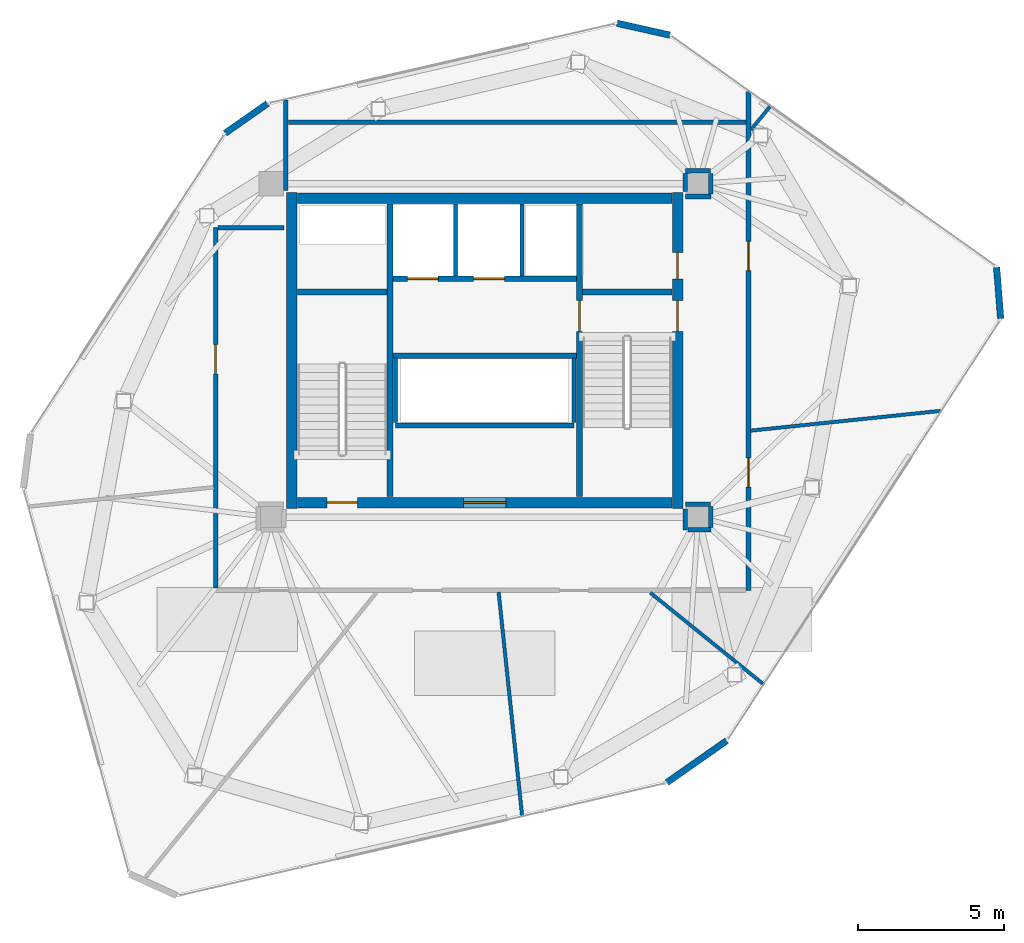
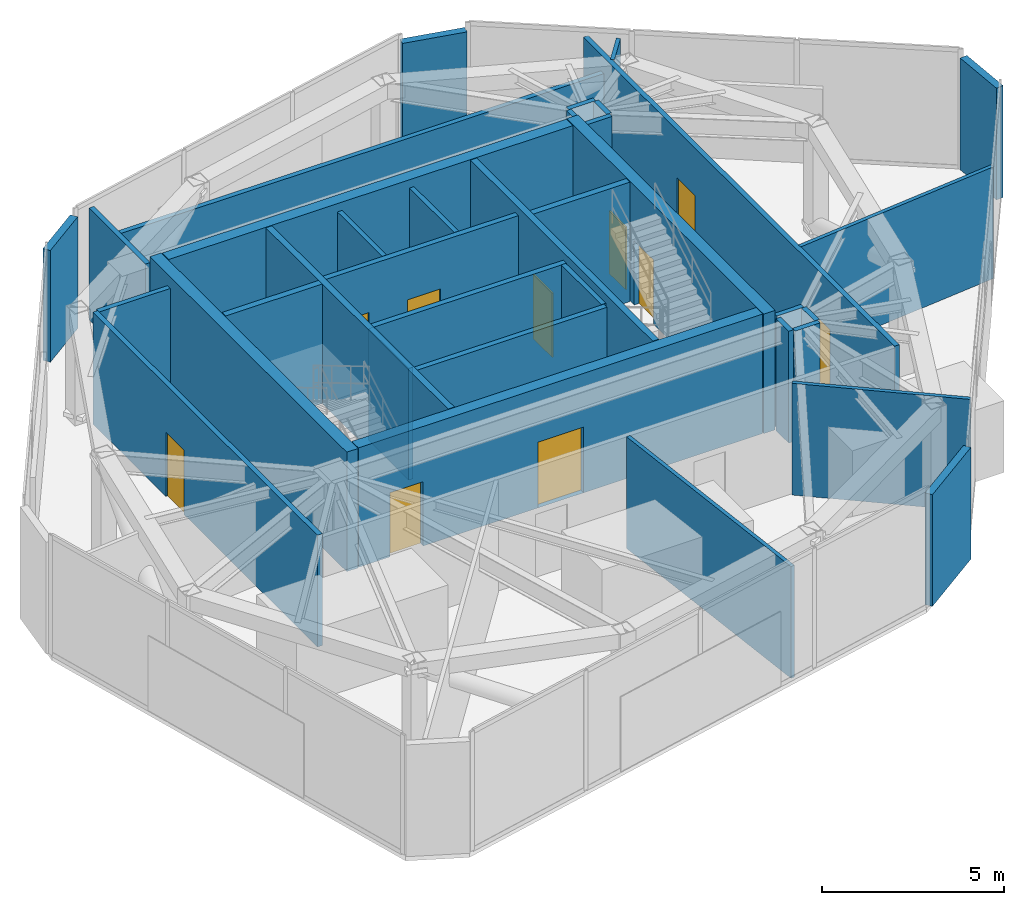
# One storey, part 18 of 21: 36 walls, 10 doors, 10 openings.
"""IFC4 building model written with IfcOpenShell, lengths in metres."""

import ifcopenshell
import ifcopenshell.guid

model = None  # the IFC model being written
_history = None  # IfcOwnerHistory: only IFC2X3 demands one
_inside = {}  # id of a spatial element -> (the spatial element, [elements in it])
_under = {}  # id of a project, library or spatial element -> (it, [spatial elements below it])
_declared = {}  # id of a project -> (the project, [libraries it declares])
_typed = {}  # id of a type object -> (the type object, [elements of that type])
_made_of = {}  # id of a material, layer set ... -> (it, [elements and type objects made of it])


def new_model(schema):
    """Start an empty IFC model of exactly this schema.

    Asked for "IFC4X3", IfcOpenShell would pick the latest addendum, in which some entities
    have other attributes; the version numbers below select the first issue.
    IFC2X3 requires an IfcOwnerHistory on every rooted entity: one is made here for all.
    """
    global model, _history
    if schema == "IFC4X3":
        model = ifcopenshell.file(schema_version=(4, 3, 0, 0))
    else:
        model = ifcopenshell.file(schema=schema)
    _inside.clear()
    _under.clear()
    _declared.clear()
    _typed.clear()
    _made_of.clear()
    _history = None
    if model.schema == "IFC2X3":
        org = make("IfcOrganization", Name="unknown")
        user = make(
            "IfcPersonAndOrganization",
            ThePerson=make("IfcPerson", FamilyName="unknown"),
            TheOrganization=org,
        )
        app = make(
            "IfcApplication",
            ApplicationDeveloper=org,
            Version="unknown",
            ApplicationFullName="unknown",
            ApplicationIdentifier="unknown",
        )
        _history = make(
            "IfcOwnerHistory",
            OwningUser=user,
            OwningApplication=app,
            ChangeAction="ADDED",
            CreationDate=0,
        )
    return model


def make(cls, **values):
    """One entity of the class cls with the attributes given. An attribute that is None is left unset."""
    return model.create_entity(
        cls, **{name: value for name, value in values.items() if value is not None}
    )


def rooted(cls, **values):
    """An entity with a GlobalId (a new one), such as an element, a storey or a relation."""
    return make(cls, GlobalId=ifcopenshell.guid.new(), OwnerHistory=_history, **values)


def si_unit(unit_type, name, prefix=None):
    """IfcSIUnit, for example si_unit("LENGTHUNIT", "METRE", prefix="MILLI")."""
    return make("IfcSIUnit", UnitType=unit_type, Prefix=prefix, Name=name)


def assignment(units):
    """IfcUnitAssignment: the units of a project."""
    return None if units is None else make("IfcUnitAssignment", Units=units)


def point(xyz):
    """IfcCartesianPoint."""
    return None if xyz is None else make("IfcCartesianPoint", Coordinates=xyz)


def direction(xyz):
    """IfcDirection."""
    return None if xyz is None else make("IfcDirection", DirectionRatios=xyz)


def frame(location, z_axis=None, x_axis=None):
    """IfcAxis2Placement3D, a coordinate frame: its origin and axes. An axis left out is left unset."""
    return make(
        "IfcAxis2Placement3D",
        Location=point(location),
        Axis=direction(z_axis),
        RefDirection=direction(x_axis),
    )


def frame_2d(location, x_axis=None):
    """IfcAxis2Placement2D, a coordinate frame in the plane: its origin and x axis."""
    return make(
        "IfcAxis2Placement2D", Location=point(location), RefDirection=direction(x_axis)
    )


def origin():
    """The frame at (0, 0, 0) with its axes left unset."""
    return frame((0.0, 0.0, 0.0))


def place(relative_to, where):
    """IfcLocalPlacement: puts the frame where relative to a parent placement (None: the world)."""
    return make(
        "IfcLocalPlacement", PlacementRelTo=relative_to, RelativePlacement=where
    )


def context(
    kind, dimensions, precision=None, world=None, true_north=None, identifier=None
):
    """IfcGeometricRepresentationContext, for example the 3D "Model" context."""
    return make(
        "IfcGeometricRepresentationContext",
        ContextIdentifier=identifier,
        ContextType=kind,
        CoordinateSpaceDimension=dimensions,
        Precision=precision,
        WorldCoordinateSystem=world,
        TrueNorth=true_north,
    )


def subcontext(parent, identifier, kind, view, scale=None):
    """IfcGeometricRepresentationSubContext, for example "Body" below "Model"."""
    return make(
        "IfcGeometricRepresentationSubContext",
        ContextIdentifier=identifier,
        ContextType=kind,
        ParentContext=parent,
        TargetScale=scale,
        TargetView=view,
    )


def project(units=None, contexts=None):
    """IfcProject with its units and contexts."""
    return rooted(
        "IfcProject",
        Name="project",
        RepresentationContexts=contexts,
        UnitsInContext=assignment(units),
    )


def spatial(cls, under=None, at=None, **own):
    """A site, building, storey or space (cls), placed at a placement, below another one or the project."""
    s = rooted(cls, ObjectPlacement=at, **own)
    if under is not None:
        _under.setdefault(under.id(), (under, []))[1].append(s)
    return s


def profile(cls, at=None, kind="AREA", **sizes):
    """A parametric profile (cls). Its sizes go by their IFC names, for example OverallWidth=200.0."""
    return make(cls, ProfileType=kind, Position=at, **sizes)


def rectangle(**sizes):
    """IfcRectangleProfileDef."""
    return profile("IfcRectangleProfileDef", **sizes)


def extrude(swept, where, along, depth):
    """IfcExtrudedAreaSolid: the profile swept, set in the frame where, extruded along a direction by depth."""
    return make(
        "IfcExtrudedAreaSolid",
        SweptArea=swept,
        Position=where,
        ExtrudedDirection=direction(along),
        Depth=depth,
    )


def shape(context_of_items, identifier, shape_type, items):
    """IfcShapeRepresentation: the items that make up one representation, for example the "Body"."""
    return make(
        "IfcShapeRepresentation",
        ContextOfItems=context_of_items,
        RepresentationIdentifier=identifier,
        RepresentationType=shape_type,
        Items=items,
    )


def source(mapping_origin, context_of_items, identifier, shape_type, items):
    """IfcRepresentationMap: a shape defined once, which mapped items show again and again."""
    return make(
        "IfcRepresentationMap",
        MappingOrigin=mapping_origin,
        MappedRepresentation=shape(context_of_items, identifier, shape_type, items),
    )


def transform(
    local_origin,
    x_axis=None,
    y_axis=None,
    z_axis=None,
    scale=None,
    scale2=None,
    scale3=None,
    uniform=True,
):
    """IfcCartesianTransformationOperator3D, or its non-uniform kind. x_axis, y_axis, z_axis: its Axis1, 2, 3."""
    if uniform:
        return make(
            "IfcCartesianTransformationOperator3D",
            Axis1=direction(x_axis),
            Axis2=direction(y_axis),
            LocalOrigin=point(local_origin),
            Scale=scale,
            Axis3=direction(z_axis),
        )
    return make(
        "IfcCartesianTransformationOperator3DnonUniform",
        Axis1=direction(x_axis),
        Axis2=direction(y_axis),
        LocalOrigin=point(local_origin),
        Scale=scale,
        Axis3=direction(z_axis),
        Scale2=scale2,
        Scale3=scale3,
    )


def mapped(mapping_source, mapping_target):
    """IfcMappedItem: shows the shape of a source again, moved by a transform."""
    return make(
        "IfcMappedItem", MappingSource=mapping_source, MappingTarget=mapping_target
    )


def material(Name=None, Category=None):
    """IfcMaterial."""
    return make("IfcMaterial", Name=Name, Category=Category)


def layer(
    of_material, thickness, ventilated=None, Name=None, Category=None, Priority=None
):
    """IfcMaterialLayer: one layer of a wall or slab, of a material (None: an air gap)."""
    return make(
        "IfcMaterialLayer",
        Material=of_material,
        LayerThickness=thickness,
        IsVentilated=ventilated,
        Name=Name,
        Category=Category,
        Priority=Priority,
    )


def layer_set(layers, Name=None):
    """IfcMaterialLayerSet."""
    return make("IfcMaterialLayerSet", MaterialLayers=layers, LayerSetName=Name)


def made_of(thing, what):
    """Note that an element or type object is made of a material, layer set ...; save() writes the relation."""
    if what is not None:
        _made_of.setdefault(what.id(), (what, []))[1].append(thing)
    return thing


def type_object(cls, material=None, **own):
    """A type object (cls), such as IfcWallType, which elements share."""
    return made_of(rooted(cls, **own), material)


def type_shapes(of_type, sources):
    """Give a type object the sources (RepresentationMaps) that its elements show as mapped items."""
    of_type.RepresentationMaps = sources


def element(
    cls,
    number,
    at=None,
    inside=None,
    cuts=None,
    type_object=None,
    material=None,
    context=None,
    identifier="Body",
    shape_type=None,
    held_by="IfcProductDefinitionShape",
    body=None,
    shapes=None,
    **own,
):
    """One element of the class cls, such as IfcWall. Its Tag is "e" and its number.

    at: its placement. inside: the storey or other place that contains it. cuts: it is an
    opening in that element (IfcRelVoidsElement). A single representation is given by context,
    identifier, shape_type and body (its items); several are given by shapes. held_by: the class
    of the entity that holds the representations. save() writes the other relations.
    """
    e = rooted(cls, Tag="e%d" % number, ObjectPlacement=at, **own)
    if body is not None:
        shapes = [shape(context, identifier, shape_type, body)]
    if shapes is not None:
        e.Representation = make(held_by, Representations=shapes)
    if inside is not None:
        _inside.setdefault(inside.id(), (inside, []))[1].append(e)
    if cuts is not None:
        rooted(
            "IfcRelVoidsElement", RelatingBuildingElement=cuts, RelatedOpeningElement=e
        )
    if type_object is not None:
        _typed.setdefault(type_object.id(), (type_object, []))[1].append(e)
    return made_of(e, material)


def fill(opening, filler):
    """IfcRelFillsElement: the door or window that sits in an opening."""
    return rooted(
        "IfcRelFillsElement",
        RelatingOpeningElement=opening,
        RelatedBuildingElement=filler,
    )


def aggregate(whole, parts):
    """IfcRelAggregates: a whole, such as a stair, and the parts it consists of."""
    return rooted("IfcRelAggregates", RelatingObject=whole, RelatedObjects=parts)


def save(model, path):
    """Write the relations noted so far, then the file.

    IfcRelAggregates (storeys below a building ...), IfcRelContainedInSpatialStructure (elements
    in a storey), IfcRelDefinesByType, IfcRelAssociatesMaterial and IfcRelDeclares: one each for
    every whole, place, type object, material and project.
    """
    for whole, parts in _under.values():
        aggregate(whole, parts)
    for where, things in _inside.values():
        rooted(
            "IfcRelContainedInSpatialStructure",
            RelatedElements=things,
            RelatingStructure=where,
        )
    for kind, things in _typed.values():
        rooted("IfcRelDefinesByType", RelatedObjects=things, RelatingType=kind)
    for what, things in _made_of.values():
        rooted("IfcRelAssociatesMaterial", RelatedObjects=things, RelatingMaterial=what)
    for by, libraries in _declared.values():
        rooted("IfcRelDeclares", RelatingContext=by, RelatedDefinitions=libraries)
    model.write(path)


model = new_model("IFC4")

# Units and contexts
model_context = context("Model", 3, precision=1e-05, world=origin(), true_north=direction((0.0, 1.0)))
body_context = subcontext(model_context, "Body", "Model", "MODEL_VIEW")
ifc_project = project(units=[si_unit("LENGTHUNIT", "METRE"), si_unit("AREAUNIT", "SQUARE_METRE"), si_unit("VOLUMEUNIT", "CUBIC_METRE"), si_unit("PLANEANGLEUNIT", "RADIAN"), si_unit("MASSUNIT", "GRAM", prefix="KILO")], contexts=[model_context])

# Site, building, storey
site_placement = place(None, origin())
site = spatial("IfcSite", under=ifc_project, at=site_placement, CompositionType="ELEMENT")
building_placement = place(site_placement, origin())
building = spatial("IfcBuilding", under=site, at=building_placement, Name="Talar Marvaseh", CompositionType="ELEMENT")
storey_placement = place(building_placement, frame((0.0, 0.0, 304.0)))
storey = spatial("IfcBuildingStorey", under=building, at=storey_placement, Name="L81", CompositionType="ELEMENT", Elevation=304.0)

# Walls
ifc_material_1 = material(Name="Precast concrete C45/55", Category="concrete")
ifc_layer_1 = layer(ifc_material_1, 0.22509765625)
ifc_layer_set_1 = layer_set([ifc_layer_1], Name="Precast concrete C45/55")
wall_type_1 = type_object("IfcWallType", Name="Chamfered Hexagonal Corner Pier Wall Z4 225", PredefinedType="SOLIDWALL", material=ifc_layer_set_1)
wall_1_placement = place(storey_placement, frame((17.1220703125, 38.626708984375, 0.0), z_axis=(0.0, 0.0, 1.0), x_axis=(0.819090185356, 0.573664769925, 0.0)))
element("IfcWall", 1, at=wall_1_placement, inside=storey, type_object=wall_type_1, Name="L81 Chamfered Corner Limestone Pier 3", PredefinedType="SOLIDWALL", context=body_context, shape_type="SweptSolid", body=[
    extrude(rectangle(XDim=1.780517578125, YDim=0.22509765625, at=frame_2d((0.89013671875, 0.0))), origin(), (0.0, 0.0, 1.0), 3.739990234375),
])
wall_2_placement = place(storey_placement, frame((30.5244140625, 42.38916015625, 0.0), z_axis=(0.0, 0.0, 1.0), x_axis=(0.975826819247, -0.218545232932, 0.0)))
element("IfcWall", 2, at=wall_2_placement, inside=storey, type_object=wall_type_1, Name="L81 Chamfered Corner Limestone Pier 4", PredefinedType="SOLIDWALL", context=body_context, shape_type="SweptSolid", body=[
    extrude(rectangle(XDim=1.856689453125, YDim=0.22509765625, at=frame_2d((0.92822265625, 0.0))), origin(), (0.0, 0.0, 1.0), 3.739990234375),
])
wall_3_placement = place(storey_placement, frame((43.504150390625, 34.041748046875, 0.0), z_axis=(0.0, 0.0, 1.0), x_axis=(0.079712105085, -0.996817927358, 0.0)))
element("IfcWall", 3, at=wall_3_placement, inside=storey, type_object=wall_type_1, Name="L81 Chamfered Corner Limestone Pier 5", PredefinedType="SOLIDWALL", context=body_context, shape_type="SweptSolid", body=[
    extrude(rectangle(XDim=1.758056640625, YDim=0.22509765625, at=frame_2d((0.87890625, 0.0))), origin(), (0.0, 0.0, 1.0), 3.739990234375),
])
wall_4_placement = place(storey_placement, frame((34.27880859375, 17.85791015625, 0.0), z_axis=(0.0, 0.0, 1.0), x_axis=(-0.819149408047, -0.573580201276, 0.0)))
element("IfcWall", 4, at=wall_4_placement, inside=storey, type_object=wall_type_1, Name="L81 Chamfered Corner Limestone Pier 6", PredefinedType="SOLIDWALL", context=body_context, shape_type="SweptSolid", body=[
    extrude(rectangle(XDim=2.50244140625, YDim=0.22509765625, at=frame_2d((1.251220703125, 0.0))), origin(), (0.0, 0.0, 1.0), 3.739990234375),
])

# Wall, openings, doors
ifc_material_2 = material(Name="Gypsum Board Partition Assembly")
ifc_layer_2 = layer(ifc_material_2, 0.155029296875)
ifc_layer_set_2 = layer_set([ifc_layer_2], Name="Gypsum Board Partition Assembly")
wall_type_2 = type_object("IfcWallType", Name="Corridor Fire-Rated Acoustic Partition 155", PredefinedType="PARTITIONING", material=ifc_layer_set_2)
wall_5_placement = place(storey_placement, frame((35.02001953125, 40.060546875, 0.0), z_axis=(0.0, 0.0, 1.0), x_axis=(0.0, -1.0, 0.0)))
wall_5 = element("IfcWall", 5, at=wall_5_placement, inside=storey, type_object=wall_type_2, Name="L81 Interior Partition Wall", PredefinedType="PARTITIONING", context=body_context, shape_type="SweptSolid", body=[
    extrude(rectangle(XDim=17.060546875, YDim=0.155029296875, at=frame_2d((8.5302734375, 0.0))), origin(), (0.0, 0.0, 1.0), 3.739990234375),
])
opening_1_placement = place(wall_5_placement, frame((12.53662109375, 0.0, 0.0)))
opening_1 = element("IfcOpeningElement", 6, at=opening_1_placement, cuts=wall_5, Name="Opening DR-RM100", PredefinedType="OPENING", context=body_context, shape_type="SweptSolid", body=[
    extrude(rectangle(XDim=1.0, YDim=2.14990234375, at=frame_2d((0.5, 1.074951171875))), frame((0.0, 0.08740234375, 0.0), z_axis=(0.0, -1.0, 0.0), x_axis=(1.0, 0.0, 0.0)), (0.0, 0.0, 1.0), 0.175048828125),
])
opening_2_placement = place(wall_5_placement, frame((5.131591796875, 0.0, 0.0)))
opening_2 = element("IfcOpeningElement", 7, at=opening_2_placement, cuts=wall_5, Name="Opening DR-RM100", PredefinedType="OPENING", context=body_context, shape_type="SweptSolid", body=[
    extrude(rectangle(XDim=1.0, YDim=2.14990234375, at=frame_2d((0.5, 1.074951171875))), frame((0.0, 0.08740234375, 0.0), z_axis=(0.0, -1.0, 0.0), x_axis=(1.0, 0.0, 0.0)), (0.0, 0.0, 1.0), 0.175048828125),
])
ifc_material_3 = material(Name="Acoustic Engineered Oak Timber", Category="wood")
door_type_1 = type_object("IfcDoorType", Name="Corridor Fire-Rated Gallery Door 1000x2150", OperationType="NOTDEFINED", PredefinedType="DOOR", material=ifc_material_3)
shared_shape_1 = source(origin(), body_context, "Body", "SweptSolid", [
    extrude(rectangle(XDim=1.0, YDim=2.14990234375, at=frame_2d((0.5, 1.074951171875))), frame((0.0, 0.02490234375, 0.0), z_axis=(0.0, -1.0, 0.0), x_axis=(1.0, 0.0, 0.0)), (0.0, 0.0, 1.0), 0.050048828125),
])
type_shapes(door_type_1, [shared_shape_1])
door_1_placement = place(opening_1_placement, origin())
door_1 = element("IfcDoor", 8, at=door_1_placement, inside=storey, type_object=door_type_1, Name="L81 HV Transformer Switchroom Door", OperationType="SINGLE_SWING_LEFT", OverallHeight=2.14990234375, OverallWidth=1.0, PredefinedType="DOOR", context=body_context, shape_type="MappedRepresentation", body=[
    mapped(shared_shape_1, transform((0.0, 0.0, 0.0), x_axis=(1.0, 0.0, 0.0), y_axis=(0.0, 1.0, 0.0), z_axis=(0.0, 0.0, 1.0), scale=1.0)),
])
fill(opening_1, door_1)
door_2_placement = place(opening_2_placement, origin())
door_2 = element("IfcDoor", 9, at=door_2_placement, inside=storey, type_object=door_type_1, Name="L81 Heat Recovery Mechanical Plant Room Door", OperationType="SINGLE_SWING_RIGHT", OverallHeight=2.14990234375, OverallWidth=1.0, PredefinedType="DOOR", context=body_context, shape_type="MappedRepresentation", body=[
    mapped(shared_shape_1, transform((0.0, 0.0, 0.0), x_axis=(1.0, 0.0, 0.0), y_axis=(0.0, 1.0, 0.0), z_axis=(0.0, 0.0, 1.0), scale=1.0)),
])
fill(opening_2, door_2)

# Wall, opening, door
wall_6_placement = place(storey_placement, frame((16.800048828125, 23.08349609375, 0.0), z_axis=(0.0, 0.0, 1.0), x_axis=(0.0, 1.0, 0.0)))
wall_6 = element("IfcWall", 10, at=wall_6_placement, inside=storey, type_object=wall_type_2, Name="L81 Interior Partition Wall", PredefinedType="PARTITIONING", context=body_context, shape_type="SweptSolid", body=[
    extrude(rectangle(XDim=12.31640625, YDim=0.155029296875, at=frame_2d((6.158203125, 0.0))), origin(), (0.0, 0.0, 1.0), 3.739990234375),
])
opening_3_placement = place(wall_6_placement, frame((7.3125, 0.0, 0.0)))
opening_3 = element("IfcOpeningElement", 11, at=opening_3_placement, cuts=wall_6, Name="Opening DR-RM100", PredefinedType="OPENING", context=body_context, shape_type="SweptSolid", body=[
    extrude(rectangle(XDim=1.0, YDim=2.14990234375, at=frame_2d((0.5, 1.074951171875))), frame((0.0, 0.08740234375, 0.0), z_axis=(0.0, -1.0, 0.0), x_axis=(1.0, 0.0, 0.0)), (0.0, 0.0, 1.0), 0.175048828125),
])
door_3_placement = place(opening_3_placement, origin())
door_3 = element("IfcDoor", 12, at=door_3_placement, inside=storey, type_object=door_type_1, Name="L81 BMS Telecoms Control Plant Room Door", OperationType="SINGLE_SWING_LEFT", OverallHeight=2.14990234375, OverallWidth=1.0, PredefinedType="DOOR", context=body_context, shape_type="MappedRepresentation", body=[
    mapped(shared_shape_1, transform((0.0, 0.0, 0.0), x_axis=(1.0, 0.0, 0.0), y_axis=(0.0, 1.0, 0.0), z_axis=(0.0, 0.0, 1.0), scale=1.0)),
])
fill(opening_3, door_3)

# Walls
wall_7_placement = place(storey_placement, frame((16.883544921875, 35.39990234375, 0.0), z_axis=(0.0, 0.0, 1.0), x_axis=(1.0, 0.0, 0.0)))
element("IfcWall", 13, at=wall_7_placement, inside=storey, type_object=wall_type_2, Name="L81 Interior Partition Wall", PredefinedType="PARTITIONING", context=body_context, shape_type="SweptSolid", body=[
    extrude(rectangle(XDim=2.246337890625, YDim=0.155029296875, at=frame_2d((1.123046875, 0.0))), origin(), (0.0, 0.0, 1.0), 3.739990234375),
])
wall_8_placement = place(storey_placement, frame((19.199951171875, 36.669921875, 0.0), z_axis=(0.0, 0.0, 1.0), x_axis=(0.0, 1.0, 0.0)))
element("IfcWall", 14, at=wall_8_placement, inside=storey, type_object=wall_type_2, Name="L81 Interior Partition Wall", PredefinedType="PARTITIONING", context=body_context, shape_type="SweptSolid", body=[
    extrude(rectangle(XDim=3.10009765625, YDim=0.155029296875, at=frame_2d((1.550048828125, 0.0))), origin(), (0.0, 0.0, 1.0), 3.739990234375),
])
wall_9_placement = place(storey_placement, frame((19.283447265625, 39.0, 0.0), z_axis=(0.0, 0.0, 1.0), x_axis=(1.0, 0.0, 0.0)))
element("IfcWall", 15, at=wall_9_placement, inside=storey, type_object=wall_type_2, Name="L81 Interior Partition Wall", PredefinedType="PARTITIONING", context=body_context, shape_type="SweptSolid", body=[
    extrude(rectangle(XDim=15.653076171875, YDim=0.155029296875, at=frame_2d((7.82666015625, 0.0))), origin(), (0.0, 0.0, 1.0), 3.215087890625),
])
wall_10_placement = place(storey_placement, frame((33.72509765625, 25.93994140625, 0.0), z_axis=(0.0, 0.0, 1.0), x_axis=(-0.999986790873, -0.005139852152, 0.0)))
element("IfcWall", 16, at=wall_10_placement, inside=storey, type_object=wall_type_2, Name="L81 Interior Partition Wall", PredefinedType="PARTITIONING", context=body_context, shape_type="SweptSolid", body=[
    extrude(rectangle(XDim=0.85498046875, YDim=0.155029296875, at=frame_2d((0.427490234375, 0.0))), origin(), (0.0, 0.0, 1.0), 3.739990234375),
])
wall_11_placement = place(storey_placement, frame((32.864501953125, 25.772705078125, 0.0), z_axis=(0.0, 0.0, 1.0), x_axis=(0.0, -1.0, 0.0)))
element("IfcWall", 17, at=wall_11_placement, inside=storey, type_object=wall_type_2, Name="L81 Interior Partition Wall", PredefinedType="PARTITIONING", context=body_context, shape_type="SweptSolid", body=[
    extrude(rectangle(XDim=0.708251953125, YDim=0.155029296875, at=frame_2d((0.35400390625, 0.0))), origin(), (0.0, 0.0, 1.0), 3.739990234375),
])
wall_12_placement = place(storey_placement, frame((32.947998046875, 25.064453125, 0.0), z_axis=(0.0, 0.0, 1.0), x_axis=(1.0, 0.0, 0.0)))
element("IfcWall", 18, at=wall_12_placement, inside=storey, type_object=wall_type_2, Name="L81 Interior Partition Wall", PredefinedType="PARTITIONING", context=body_context, shape_type="SweptSolid", body=[
    extrude(rectangle(XDim=0.78759765625, YDim=0.155029296875, at=frame_2d((0.393798828125, 0.0))), origin(), (0.0, 0.0, 1.0), 3.739990234375),
])
wall_13_placement = place(storey_placement, frame((33.734619140625, 25.14794921875, 0.0), z_axis=(0.0, 0.0, 1.0), x_axis=(-0.012059770759, 0.99992727832, 0.0)))
element("IfcWall", 19, at=wall_13_placement, inside=storey, type_object=wall_type_2, Name="L81 Interior Partition Wall", PredefinedType="PARTITIONING", context=body_context, shape_type="SweptSolid", body=[
    extrude(rectangle(XDim=0.70849609375, YDim=0.155029296875, at=frame_2d((0.354248046875, 0.0))), origin(), (0.0, 0.0, 1.0), 3.739990234375),
])
wall_14_placement = place(storey_placement, frame((33.72509765625, 37.340087890625, 0.0), z_axis=(0.0, 0.0, 1.0), x_axis=(-0.999986962681, -0.005106316405, 0.0)))
element("IfcWall", 20, at=wall_14_placement, inside=storey, type_object=wall_type_2, Name="L81 Interior Partition Wall", PredefinedType="PARTITIONING", context=body_context, shape_type="SweptSolid", body=[
    extrude(rectangle(XDim=0.860595703125, YDim=0.155029296875, at=frame_2d((0.43017578125, 0.0))), origin(), (0.0, 0.0, 1.0), 3.739990234375),
])
wall_15_placement = place(storey_placement, frame((32.864501953125, 37.252197265625, 0.0), z_axis=(0.0, 0.0, 1.0), x_axis=(0.0, -1.0, 0.0)))
element("IfcWall", 21, at=wall_15_placement, inside=storey, type_object=wall_type_2, Name="L81 Interior Partition Wall", PredefinedType="PARTITIONING", context=body_context, shape_type="SweptSolid", body=[
    extrude(rectangle(XDim=0.624755859375, YDim=0.155029296875, at=frame_2d((0.3125, 0.0))), origin(), (0.0, 0.0, 1.0), 3.739990234375),
])
wall_16_placement = place(storey_placement, frame((32.8701171875, 36.46435546875, 0.0), z_axis=(0.0, 0.0, 1.0), x_axis=(1.0, 0.0, 0.0)))
element("IfcWall", 22, at=wall_16_placement, inside=storey, type_object=wall_type_2, Name="L81 Interior Partition Wall", PredefinedType="PARTITIONING", context=body_context, shape_type="SweptSolid", body=[
    extrude(rectangle(XDim=0.865478515625, YDim=0.155029296875, at=frame_2d((0.4326171875, 0.0))), origin(), (0.0, 0.0, 1.0), 3.739990234375),
])
wall_17_placement = place(storey_placement, frame((33.734619140625, 36.5478515625, 0.0), z_axis=(0.0, 0.0, 1.0), x_axis=(-0.012055617118, 0.999927328407, 0.0)))
element("IfcWall", 23, at=wall_17_placement, inside=storey, type_object=wall_type_2, Name="L81 Interior Partition Wall", PredefinedType="PARTITIONING", context=body_context, shape_type="SweptSolid", body=[
    extrude(rectangle(XDim=0.708740234375, YDim=0.155029296875, at=frame_2d((0.3544921875, 0.0))), origin(), (0.0, 0.0, 1.0), 3.739990234375),
])
ifc_layer_3 = layer(ifc_material_2, 0.1201171875)
ifc_layer_set_3 = layer_set([ifc_layer_3], Name="Gypsum Board Partition Assembly")
wall_type_3 = type_object("IfcWallType", Name="Demountable Studio Room Partition 120", PredefinedType="PARTITIONING", material=ifc_layer_set_3)
wall_18_placement = place(storey_placement, frame((26.476806640625, 22.935302734375, 0.0), z_axis=(0.0, 0.0, 1.0), x_axis=(0.104461314249, -0.994528950723, 0.0)))
element("IfcWall", 24, at=wall_18_placement, inside=storey, type_object=wall_type_3, Name="L81 Interior Partition Wall", PredefinedType="PARTITIONING", context=body_context, shape_type="SweptSolid", body=[
    extrude(rectangle(XDim=7.677490234375, YDim=0.1201171875, at=frame_2d((3.8388671875, 0.0))), origin(), (0.0, 0.0, 1.0), 3.739990234375),
])
wall_19_placement = place(storey_placement, frame((31.6630859375, 22.91650390625, 0.0), z_axis=(0.0, 0.0, 1.0), x_axis=(0.777594665145, -0.628765883885, 0.0)))
element("IfcWall", 25, at=wall_19_placement, inside=storey, type_object=wall_type_3, Name="L81 Interior Partition Wall", PredefinedType="PARTITIONING", context=body_context, shape_type="SweptSolid", body=[
    extrude(rectangle(XDim=4.95556640625, YDim=0.1201171875, at=frame_2d((2.477783203125, 0.0))), origin(), (0.0, 0.0, 1.0), 3.739990234375),
])
wall_20_placement = place(storey_placement, frame((35.084716796875, 28.456787109375, 0.0), z_axis=(0.0, 0.0, 1.0), x_axis=(0.994625543196, 0.103537572036, 0.0)))
element("IfcWall", 26, at=wall_20_placement, inside=storey, type_object=wall_type_3, Name="L81 Interior Partition Wall", PredefinedType="PARTITIONING", context=body_context, shape_type="SweptSolid", body=[
    extrude(rectangle(XDim=6.536376953125, YDim=0.1201171875, at=frame_2d((3.26806640625, 0.0))), origin(), (0.0, 0.0, 1.0), 3.739990234375),
])
wall_21_placement = place(storey_placement, frame((35.103515625, 38.742431640625, 0.0), z_axis=(0.0, 0.0, 1.0), x_axis=(0.632134257019, 0.774858878186, 0.0)))
element("IfcWall", 27, at=wall_21_placement, inside=storey, type_object=wall_type_3, Name="L81 Interior Partition Wall", PredefinedType="PARTITIONING", context=body_context, shape_type="SweptSolid", body=[
    extrude(rectangle(XDim=1.024658203125, YDim=0.1201171875, at=frame_2d((0.51220703125, 0.0))), origin(), (0.0, 0.0, 1.0), 3.739990234375),
])
ifc_layer_4 = layer(ifc_material_1, 0.14501953125)
ifc_layer_set_4 = layer_set([ifc_layer_4], Name="Precast concrete C45/55")
wall_type_4 = type_object("IfcWallType", Name="Fire-Rated Lift Divider Wall 145", PredefinedType="SOLIDWALL", material=ifc_layer_set_4)
for number, where, z_axis, x_axis, name in (
    (28, (25.0, 33.743408203125, 0.0), (0.0, 0.0, 1.0), (0.0, 1.0, 0.0), "L81 FFL-1/FFL-2 Divider"),
    (29, (27.280029296875, 33.743408203125, 0.0), (0.0, 0.0, 1.0), (0.0, 1.0, 0.0), "L81 FFL-2/SVL-1 Divider"),
):
    element("IfcWall", number, at=place(storey_placement, frame(where, z_axis=z_axis, x_axis=x_axis)), inside=storey, type_object=wall_type_4, Name=name, PredefinedType="SOLIDWALL", context=body_context, shape_type="SweptSolid", body=[
        extrude(rectangle(XDim=2.45654296875, YDim=0.14501953125, at=frame_2d((1.228271484375, 0.0))), origin(), (0.0, 0.0, 1.0), 3.739990234375),
    ])
for number, where, z_axis, x_axis, name in (
    (30, (22.949951171875, 28.739990234375, 0.0), (0.0, 0.0, 1.0), (0.0, 1.0, 0.0), "L81 High-Rise Riser West Enclosure Wall"),
    (31, (29.050048828125, 28.739990234375, 0.0), (0.0, 0.0, 1.0), (0.0, 1.0, 0.0), "L81 High-Rise Riser East Enclosure Wall"),
):
    element("IfcWall", number, at=place(storey_placement, frame(where, z_axis=z_axis, x_axis=x_axis)), inside=storey, type_object=wall_type_4, Name=name, PredefinedType="SOLIDWALL", context=body_context, shape_type="SweptSolid", body=[
        extrude(rectangle(XDim=2.199951171875, YDim=0.14501953125, at=frame_2d((1.10009765625, 0.0))), origin(), (0.0, 0.0, 1.0), 3.739990234375),
    ])

# Wall, openings, doors
ifc_layer_5 = layer(ifc_material_1, 0.175048828125)
ifc_layer_set_5 = layer_set([ifc_layer_5], Name="Precast concrete C45/55")
wall_type_5 = type_object("IfcWallType", Name="Fire-Rated Lift Hoistway Enclosure Wall 175", PredefinedType="SOLIDWALL", material=ifc_layer_set_5)
wall_22_placement = place(storey_placement, frame((22.860107421875, 33.64990234375, 0.0), z_axis=(0.0, 0.0, 1.0), x_axis=(1.0, 0.0, 0.0)))
wall_22 = element("IfcWall", 32, at=wall_22_placement, inside=storey, type_object=wall_type_5, Name="L81 Firefighting and Service Lift Front Wall", PredefinedType="SOLIDWALL", context=body_context, shape_type="SweptSolid", body=[
    extrude(rectangle(XDim=6.27978515625, YDim=0.175048828125, at=frame_2d((3.139892578125, 0.0))), origin(), (0.0, 0.0, 1.0), 3.739990234375),
])
opening_4_placement = place(wall_22_placement, frame((0.5, 0.0, 0.0)))
opening_4 = element("IfcOpeningElement", 33, at=opening_4_placement, cuts=wall_22, Name="Opening LD-FF1", PredefinedType="OPENING", context=body_context, shape_type="SweptSolid", body=[
    extrude(rectangle(XDim=1.050048828125, YDim=2.14990234375, at=frame_2d((0.52490234375, 1.074951171875))), frame((0.0, 0.09765625, 0.0), z_axis=(0.0, -1.0, 0.0), x_axis=(1.0, 0.0, 0.0)), (0.0, 0.0, 1.0), 0.195068359375),
])
opening_5_placement = place(wall_22_placement, frame((2.760009765625, 0.0, 0.0)))
opening_5 = element("IfcOpeningElement", 34, at=opening_5_placement, cuts=wall_22, Name="Opening LD-FF2", PredefinedType="OPENING", context=body_context, shape_type="SweptSolid", body=[
    extrude(rectangle(XDim=1.050048828125, YDim=2.14990234375, at=frame_2d((0.52490234375, 1.074951171875))), frame((0.0, 0.09765625, 0.0), z_axis=(0.0, -1.0, 0.0), x_axis=(1.0, 0.0, 0.0)), (0.0, 0.0, 1.0), 0.195068359375),
])
ifc_material_4 = material(Name="Stainless Steel Grade 316", Category="steel")
door_type_2 = type_object("IfcDoorType", Name="Automatic Sliding Lift Landing Door 1050x2150", OperationType="NOTDEFINED", PredefinedType="DOOR", material=ifc_material_4)
shared_shape_2 = source(origin(), body_context, "Body", "SweptSolid", [
    extrude(rectangle(XDim=1.050048828125, YDim=2.14990234375, at=frame_2d((0.52490234375, 1.074951171875))), frame((0.0, 0.02490234375, 0.0), z_axis=(0.0, -1.0, 0.0), x_axis=(1.0, 0.0, 0.0)), (0.0, 0.0, 1.0), 0.050048828125),
])
type_shapes(door_type_2, [shared_shape_2])
door_4_placement = place(opening_4_placement, origin())
door_4 = element("IfcDoor", 35, at=door_4_placement, inside=storey, type_object=door_type_2, Name="L81 Lift FFL-1 Sliding Landing Door", OperationType="SLIDING_TO_LEFT", OverallHeight=2.14990234375, OverallWidth=1.050048828125, PredefinedType="DOOR", context=body_context, shape_type="MappedRepresentation", body=[
    mapped(shared_shape_2, transform((0.0, 0.0, 0.0), x_axis=(1.0, 0.0, 0.0), y_axis=(0.0, 1.0, 0.0), z_axis=(0.0, 0.0, 1.0), scale=1.0)),
])
fill(opening_4, door_4)
door_5_placement = place(opening_5_placement, origin())
door_5 = element("IfcDoor", 36, at=door_5_placement, inside=storey, type_object=door_type_2, Name="L81 Lift FFL-2 Sliding Landing Door", OperationType="SLIDING_TO_LEFT", OverallHeight=2.14990234375, OverallWidth=1.050048828125, PredefinedType="DOOR", context=body_context, shape_type="MappedRepresentation", body=[
    mapped(shared_shape_2, transform((0.0, 0.0, 0.0), x_axis=(1.0, 0.0, 0.0), y_axis=(0.0, 1.0, 0.0), z_axis=(0.0, 0.0, 1.0), scale=1.0)),
])
fill(opening_5, door_5)

# Walls
wall_23_placement = place(storey_placement, frame((22.860107421875, 31.02001953125, 0.0), z_axis=(0.0, 0.0, 1.0), x_axis=(1.0, 0.0, 0.0)))
element("IfcWall", 37, at=wall_23_placement, inside=storey, type_object=wall_type_5, Name="L81 Firefighting Lobby South Smoke Wall", PredefinedType="SOLIDWALL", context=body_context, shape_type="SweptSolid", body=[
    extrude(rectangle(XDim=6.27978515625, YDim=0.175048828125, at=frame_2d((3.139892578125, 0.0))), origin(), (0.0, 0.0, 1.0), 3.739990234375),
])
wall_24_placement = place(storey_placement, frame((22.949951171875, 28.639892578125, 0.0), z_axis=(0.0, 0.0, 1.0), x_axis=(1.0, 0.0, 0.0)))
element("IfcWall", 38, at=wall_24_placement, inside=storey, type_object=wall_type_5, Name="L81 High-Rise Riser South Enclosure Wall", PredefinedType="SOLIDWALL", context=body_context, shape_type="SweptSolid", body=[
    extrude(rectangle(XDim=6.10009765625, YDim=0.175048828125, at=frame_2d((3.050048828125, 0.0))), origin(), (0.0, 0.0, 1.0), 3.739990234375),
])
ifc_material_5 = material(Name="Concrete C50/60", Category="concrete")
ifc_layer_6 = layer(ifc_material_5, 0.199951171875)
ifc_layer_set_6 = layer_set([ifc_layer_6], Name="Concrete C50/60")
wall_type_6 = type_object("IfcWallType", Name="Stair Shaft Structural Concrete Shear Wall 200", PredefinedType="SHEAR", material=ifc_layer_set_6)
wall_25_placement = place(storey_placement, frame((22.760009765625, 26.199951171875, 0.0), z_axis=(0.0, 0.0, 1.0), x_axis=(0.0, 1.0, 0.0)))
element("IfcWall", 39, at=wall_25_placement, inside=storey, type_object=wall_type_6, Name="L81 Core West Stair Shear Wall", PredefinedType="SHEAR", context=body_context, shape_type="SweptSolid", body=[
    extrude(rectangle(XDim=10.0, YDim=0.199951171875, at=frame_2d((5.0, 0.0))), origin(), (0.0, 0.0, 1.0), 4.0),
])

# Wall, opening, door
wall_26_placement = place(storey_placement, frame((29.239990234375, 26.199951171875, 0.0), z_axis=(0.0, 0.0, 1.0), x_axis=(0.0, 1.0, 0.0)))
wall_26 = element("IfcWall", 40, at=wall_26_placement, inside=storey, type_object=wall_type_6, Name="L81 Core East Stair Shear Wall", PredefinedType="SHEAR", context=body_context, shape_type="SweptSolid", body=[
    extrude(rectangle(XDim=10.0, YDim=0.199951171875, at=frame_2d((5.0, 0.0))), origin(), (0.0, 0.0, 1.0), 4.0),
])
opening_6_placement = place(wall_26_placement, frame((5.64990234375, 0.0, 0.0)))
opening_6 = element("IfcOpeningElement", 41, at=opening_6_placement, cuts=wall_26, Name="Opening DR-ST105", PredefinedType="OPENING", context=body_context, shape_type="SweptSolid", body=[
    extrude(rectangle(XDim=1.050048828125, YDim=2.14990234375, at=frame_2d((0.52490234375, 1.074951171875))), frame((0.0, 0.10986328125, 0.0), z_axis=(0.0, -1.0, 0.0), x_axis=(1.0, 0.0, 0.0)), (0.0, 0.0, 1.0), 0.219970703125),
])
ifc_material_6 = material(Name="Fire-Rated Steel Door Leaf", Category="steel")
door_type_3 = type_object("IfcDoorType", Name="Protected Exit Stair Fire Door 1050x2150", OperationType="NOTDEFINED", PredefinedType="DOOR", material=ifc_material_6)
shared_shape_3 = source(origin(), body_context, "Body", "SweptSolid", [
    extrude(rectangle(XDim=1.050048828125, YDim=2.14990234375, at=frame_2d((0.52490234375, 1.074951171875))), frame((0.0, 0.02490234375, 0.0), z_axis=(0.0, -1.0, 0.0), x_axis=(1.0, 0.0, 0.0)), (0.0, 0.0, 1.0), 0.050048828125),
])
type_shapes(door_type_3, [shared_shape_3])
door_6_placement = place(opening_6_placement, origin())
door_6 = element("IfcDoor", 42, at=door_6_placement, inside=storey, type_object=door_type_3, Name="L81 Firefighting Lobby to Stair ST-2 Door", OperationType="SINGLE_SWING_LEFT", OverallHeight=2.14990234375, OverallWidth=1.050048828125, PredefinedType="DOOR", context=body_context, shape_type="MappedRepresentation", body=[
    mapped(shared_shape_3, transform((0.0, 0.0, 0.0), x_axis=(1.0, 0.0, 0.0), y_axis=(0.0, 1.0, 0.0), z_axis=(0.0, 0.0, 1.0), scale=1.0)),
])
fill(opening_6, door_6)

# Walls
for number, where, z_axis, x_axis, name in (
    (43, (19.60009765625, 33.199951171875, 0.0), (0.0, 0.0, 1.0), (1.0, 0.0, 0.0), "L81 Stair ST-1 North Shear Wall"),
    (44, (29.340087890625, 33.199951171875, 0.0), (0.0, 0.0, 1.0), (1.0, 0.0, 0.0), "L81 Stair ST-2 North Shear Wall"),
):
    element("IfcWall", number, at=place(storey_placement, frame(where, z_axis=z_axis, x_axis=x_axis)), inside=storey, type_object=wall_type_6, Name=name, PredefinedType="SHEAR", context=body_context, shape_type="SweptSolid", body=[
        extrude(rectangle(XDim=3.059814453125, YDim=0.199951171875, at=frame_2d((1.52978515625, 0.0))), origin(), (0.0, 0.0, 1.0), 4.0),
    ])
ifc_layer_7 = layer(ifc_material_5, 0.360107421875)
ifc_layer_set_7 = layer_set([ifc_layer_7], Name="Concrete C50/60")
wall_type_7 = type_object("IfcWallType", Name="Upper Core Reinforced Concrete Shear Wall 360", PredefinedType="SHEAR", material=ifc_layer_set_7)
wall_27_placement = place(storey_placement, frame((19.39990234375, 25.800048828125, 0.0), z_axis=(0.0, 0.0, 1.0), x_axis=(0.0, 1.0, 0.0)))
element("IfcWall", 45, at=wall_27_placement, inside=storey, type_object=wall_type_7, Name="L81 West Core Shear Wall", PredefinedType="SHEAR", context=body_context, shape_type="SweptSolid", body=[
    extrude(rectangle(XDim=10.800048828125, YDim=0.360107421875, at=frame_2d((5.39990234375, 0.0))), origin(), (0.0, 0.0, 1.0), 4.0),
])

# Wall, openings, doors
wall_28_placement = place(storey_placement, frame((32.60009765625, 36.60009765625, 0.0), z_axis=(0.0, 0.0, 1.0), x_axis=(0.0, -1.0, 0.0)))
wall_28 = element("IfcWall", 46, at=wall_28_placement, inside=storey, type_object=wall_type_7, Name="L81 East Core Shear Wall", PredefinedType="SHEAR", context=body_context, shape_type="SweptSolid", body=[
    extrude(rectangle(XDim=10.800048828125, YDim=0.360107421875, at=frame_2d((5.39990234375, 0.0))), origin(), (0.0, 0.0, 1.0), 4.0),
])
opening_7_placement = place(wall_28_placement, frame((3.699951171875, 0.0, 0.0)))
opening_7 = element("IfcOpeningElement", 47, at=opening_7_placement, cuts=wall_28, Name="Opening DR-ST105", PredefinedType="OPENING", context=body_context, shape_type="SweptSolid", body=[
    extrude(rectangle(XDim=1.050048828125, YDim=2.14990234375, at=frame_2d((0.52490234375, 1.074951171875))), frame((0.0, 0.18994140625, 0.0), z_axis=(0.0, -1.0, 0.0), x_axis=(1.0, 0.0, 0.0)), (0.0, 0.0, 1.0), 0.380126953125),
])
opening_8_placement = place(wall_28_placement, frame((2.050048828125, 0.0, 0.0)))
opening_8 = element("IfcOpeningElement", 48, at=opening_8_placement, cuts=wall_28, Name="Opening DR-BOH090", PredefinedType="OPENING", context=body_context, shape_type="SweptSolid", body=[
    extrude(rectangle(XDim=0.89990234375, YDim=2.10009765625, at=frame_2d((0.449951171875, 1.050048828125))), frame((0.0, 0.18994140625, 0.0), z_axis=(0.0, -1.0, 0.0), x_axis=(1.0, 0.0, 0.0)), (0.0, 0.0, 1.0), 0.380126953125),
])
door_7_placement = place(opening_7_placement, origin())
door_7 = element("IfcDoor", 49, at=door_7_placement, inside=storey, type_object=door_type_3, Name="L81 Stair ST-2 Corridor Exit Door", OperationType="SINGLE_SWING_LEFT", OverallHeight=2.14990234375, OverallWidth=1.050048828125, PredefinedType="DOOR", context=body_context, shape_type="MappedRepresentation", body=[
    mapped(shared_shape_3, transform((0.0, 0.0, 0.0), x_axis=(1.0, 0.0, 0.0), y_axis=(0.0, 1.0, 0.0), z_axis=(0.0, 0.0, 1.0), scale=1.0)),
])
fill(opening_7, door_7)
door_type_4 = type_object("IfcDoorType", Name="Core Back-of-House Service Door 900x2100", OperationType="NOTDEFINED", PredefinedType="DOOR", material=ifc_material_6)
shared_shape_4 = source(origin(), body_context, "Body", "SweptSolid", [
    extrude(rectangle(XDim=0.89990234375, YDim=2.10009765625, at=frame_2d((0.449951171875, 1.050048828125))), frame((0.0, 0.02490234375, 0.0), z_axis=(0.0, -1.0, 0.0), x_axis=(1.0, 0.0, 0.0)), (0.0, 0.0, 1.0), 0.050048828125),
])
type_shapes(door_type_4, [shared_shape_4])
door_8_placement = place(opening_8_placement, origin())
door_8 = element("IfcDoor", 50, at=door_8_placement, inside=storey, type_object=door_type_4, Name="L81 Store Core East Archive Room Door", OperationType="SINGLE_SWING_RIGHT", OverallHeight=2.10009765625, OverallWidth=0.89990234375, PredefinedType="DOOR", context=body_context, shape_type="MappedRepresentation", body=[
    mapped(shared_shape_4, transform((0.0, 0.0, 0.0), x_axis=(1.0, 0.0, 0.0), y_axis=(0.0, 1.0, 0.0), z_axis=(0.0, 0.0, 1.0), scale=1.0)),
])
fill(opening_8, door_8)

# Wall
wall_29_placement = place(storey_placement, frame((19.60009765625, 36.39990234375, 0.0), z_axis=(0.0, 0.0, 1.0), x_axis=(1.0, 0.0, 0.0)))
element("IfcWall", 51, at=wall_29_placement, inside=storey, type_object=wall_type_7, Name="L81 North Core Shear Wall", PredefinedType="SHEAR", context=body_context, shape_type="SweptSolid", body=[
    extrude(rectangle(XDim=12.7998046875, YDim=0.360107421875, at=frame_2d((6.39990234375, 0.0))), origin(), (0.0, 0.0, 1.0), 4.0),
])

# Wall, openings, doors
wall_30_placement = place(storey_placement, frame((32.39990234375, 26.0, 0.0), z_axis=(0.0, 0.0, 1.0), x_axis=(-1.0, 0.0, 0.0)))
wall_30 = element("IfcWall", 52, at=wall_30_placement, inside=storey, type_object=wall_type_7, Name="L81 South Core Shear Wall", PredefinedType="SHEAR", context=body_context, shape_type="SweptSolid", body=[
    extrude(rectangle(XDim=12.7998046875, YDim=0.360107421875, at=frame_2d((6.39990234375, 0.0))), origin(), (0.0, 0.0, 1.0), 4.0),
])
opening_9_placement = place(wall_30_placement, frame((10.75, 0.0, 0.0)))
opening_9 = element("IfcOpeningElement", 53, at=opening_9_placement, cuts=wall_30, Name="Opening DR-ST105", PredefinedType="OPENING", context=body_context, shape_type="SweptSolid", body=[
    extrude(rectangle(XDim=1.050048828125, YDim=2.14990234375, at=frame_2d((0.52490234375, 1.074951171875))), frame((0.0, 0.18994140625, 0.0), z_axis=(0.0, -1.0, 0.0), x_axis=(1.0, 0.0, 0.0)), (0.0, 0.0, 1.0), 0.380126953125),
])
opening_10_placement = place(wall_30_placement, frame((5.669921875, 0.0, 0.0)))
opening_10 = element("IfcOpeningElement", 54, at=opening_10_placement, cuts=wall_30, Name="Opening DR-LBY145", PredefinedType="OPENING", context=body_context, shape_type="SweptSolid", body=[
    extrude(rectangle(XDim=1.449951171875, YDim=2.199951171875, at=frame_2d((0.72509765625, 1.10009765625))), frame((0.0, 0.18994140625, 0.0), z_axis=(0.0, -1.0, 0.0), x_axis=(1.0, 0.0, 0.0)), (0.0, 0.0, 1.0), 0.380126953125),
])
door_9_placement = place(opening_9_placement, origin())
door_9 = element("IfcDoor", 55, at=door_9_placement, inside=storey, type_object=door_type_3, Name="L81 Stair ST-1 Exit Door", OperationType="SINGLE_SWING_RIGHT", OverallHeight=2.14990234375, OverallWidth=1.050048828125, PredefinedType="DOOR", context=body_context, shape_type="MappedRepresentation", body=[
    mapped(shared_shape_3, transform((0.0, 0.0, 0.0), x_axis=(1.0, 0.0, 0.0), y_axis=(0.0, 1.0, 0.0), z_axis=(0.0, 0.0, 1.0), scale=1.0)),
])
fill(opening_9, door_9)
door_type_5 = type_object("IfcDoorType", Name="Core Lift Lobby Double Smoke Door 1450x2200", OperationType="NOTDEFINED", PredefinedType="DOOR", material=ifc_material_6)
shared_shape_5 = source(origin(), body_context, "Body", "SweptSolid", [
    extrude(rectangle(XDim=1.449951171875, YDim=2.199951171875, at=frame_2d((0.72509765625, 1.10009765625))), frame((0.0, 0.02490234375, 0.0), z_axis=(0.0, -1.0, 0.0), x_axis=(1.0, 0.0, 0.0)), (0.0, 0.0, 1.0), 0.050048828125),
])
type_shapes(door_type_5, [shared_shape_5])
door_10_placement = place(opening_10_placement, origin())
door_10 = element("IfcDoor", 56, at=door_10_placement, inside=storey, type_object=door_type_5, Name="L81 Passenger Lift Lobby Entrance Door", OperationType="DOUBLE_DOOR_SINGLE_SWING", OverallHeight=2.199951171875, OverallWidth=1.449951171875, PredefinedType="DOOR", context=body_context, shape_type="MappedRepresentation", body=[
    mapped(shared_shape_5, transform((0.0, 0.0, 0.0), x_axis=(1.0, 0.0, 0.0), y_axis=(0.0, 1.0, 0.0), z_axis=(0.0, 0.0, 1.0), scale=1.0)),
])
fill(opening_10, door_10)

save(model, "model.ifc")
